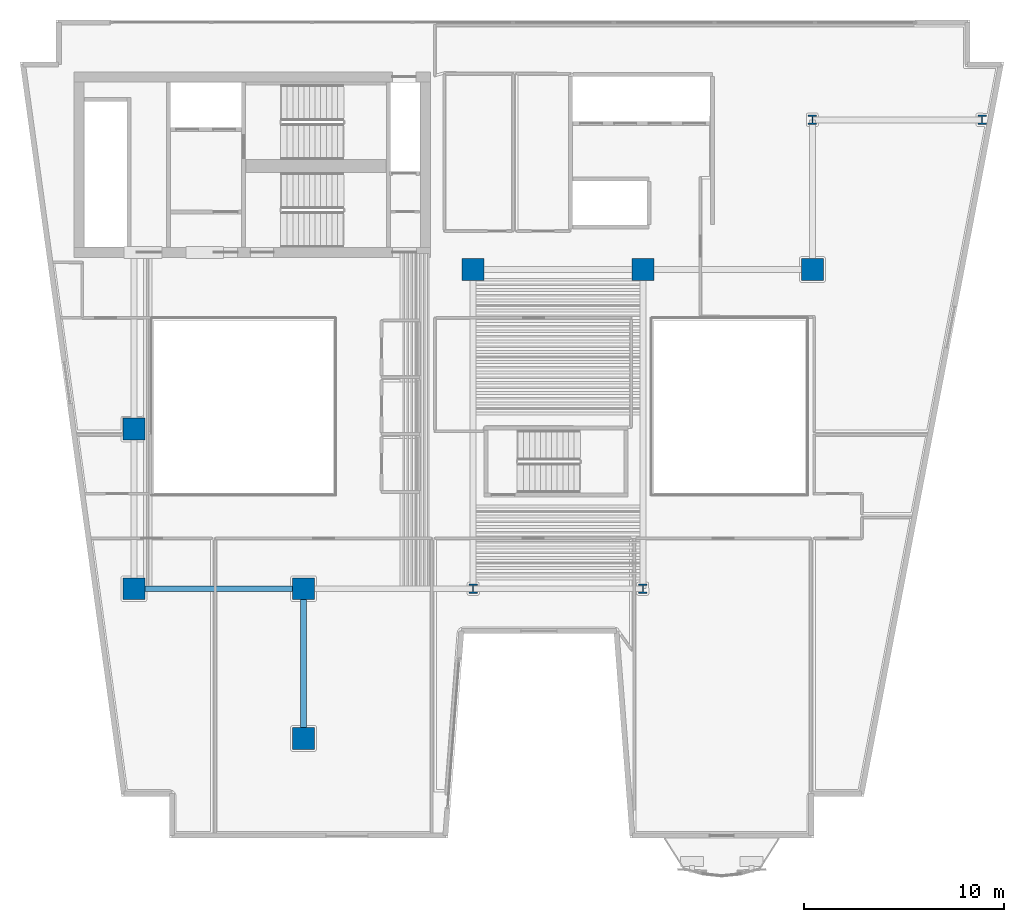
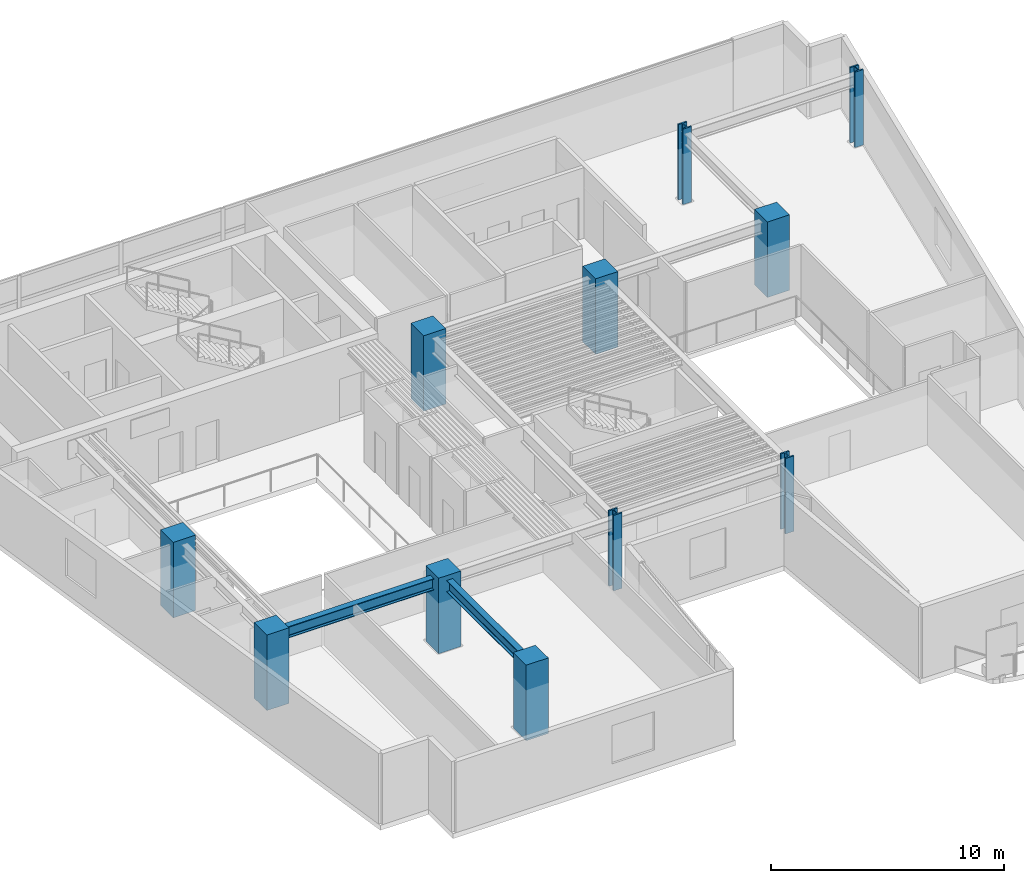
# One storey, part 1 of 13: 11 columns, 2 beams.
"""IFC4 building model written with IfcOpenShell, lengths in metres."""

from ifc_helpers import new_model, si_unit, direction, frame, origin, origin_2d, place, context, subcontext, project, spatial, rectangle, i_section, extrude, material, material_profile, profile_set, type_object, element, save


model = new_model("IFC4")

# Units and contexts
model_context = context("Model", 3, precision=1e-05, world=origin(), true_north=direction((0.0, 1.0)))
body_context = subcontext(model_context, "Body", "Model", "MODEL_VIEW")
ifc_project = project(units=[si_unit("LENGTHUNIT", "METRE"), si_unit("AREAUNIT", "SQUARE_METRE"), si_unit("VOLUMEUNIT", "CUBIC_METRE"), si_unit("PLANEANGLEUNIT", "RADIAN"), si_unit("MASSUNIT", "GRAM", prefix="KILO")], contexts=[model_context])

# Site, building, storey
site_placement = place(None, origin())
site = spatial("IfcSite", under=ifc_project, at=site_placement, CompositionType="ELEMENT")
building_placement = place(site_placement, origin())
building = spatial("IfcBuilding", under=site, at=building_placement, Name="Caeloran Harvest Quay", CompositionType="ELEMENT")
storey_placement = place(building_placement, frame((0.0, 0.0, 127.199951171875)))
storey = spatial("IfcBuildingStorey", under=building, at=storey_placement, Name="L29", CompositionType="ELEMENT", Elevation=127.199951171875)

# Columns
ifc_material_1 = material(Name="Concrete C70/85", Category="concrete")
ifc_material_profile_1 = material_profile(ifc_material_1, rectangle(XDim=1.10009765625, YDim=1.10009765625, at=origin_2d()), Name="RC 1100x1100")
ifc_profile_set_1 = profile_set([ifc_material_profile_1], Name="Concrete C70/85")
column_type_1 = type_object("IfcColumnType", Name="COL-MC-3-RC_1100x1100", PredefinedType="COLUMN", material=ifc_profile_set_1)
for number, where, z_axis, x_axis, name in (
    (1, (8.5, 15.0, 0.0), (0.0, 0.0, 1.0), (1.0, 0.0, 0.0), "L29 Structural Column (8.5, 15.0)"),
    (2, (8.5, 23.0, 0.0), (0.0, 0.0, 1.0), (1.0, 0.0, 0.0), "L29 Structural Column (8.5, 23.0)"),
    (3, (17.0, 7.5, 0.0), (0.0, 0.0, 1.0), (1.0, 0.0, 0.0), "L29 Structural Column (17.0, 7.5)"),
    (4, (17.0, 15.0, 0.0), (0.0, 0.0, 1.0), (1.0, 0.0, 0.0), "L29 Structural Column (17.0, 15.0)"),
    (5, (25.5, 31.0, 0.0), (0.0, 0.0, 1.0), (1.0, 0.0, 0.0), "L29 Structural Column (25.5, 31.0)"),
    (6, (34.0, 31.0, 0.0), (0.0, 0.0, 1.0), (1.0, 0.0, 0.0), "L29 Structural Column (34.0, 31.0)"),
    (7, (42.5, 31.0, 0.0), (0.0, 0.0, 1.0), (1.0, 0.0, 0.0), "L29 Structural Column (42.5, 31.0)"),
):
    element("IfcColumn", number, at=place(storey_placement, frame(where, z_axis=z_axis, x_axis=x_axis)), inside=storey, type_object=column_type_1, Name=name, PredefinedType="COLUMN", context=body_context, shape_type="SweptSolid", body=[
        extrude(rectangle(XDim=1.10009765625, YDim=1.10009765625, at=origin_2d()), origin(), (0.0, 0.0, 1.0), 3.949951171875),
    ])
ifc_material_2 = material(Name="Steel HISTAR 460", Category="steel")
ifc_material_profile_2 = material_profile(ifc_material_2, i_section(OverallWidth=0.424072265625, OverallDepth=0.47412109375, WebThickness=0.047607421875, FlangeThickness=0.076904296875, FilletRadius=0.014892578125, at=origin_2d()), Name="HD 400x634")
ifc_profile_set_2 = profile_set([ifc_material_profile_2], Name="Steel HISTAR 460")
column_type_2 = type_object("IfcColumnType", Name="COL-SC-3-HD_400x634", PredefinedType="COLUMN", material=ifc_profile_set_2)
for number, where, z_axis, x_axis, name in (
    (8, (25.5, 15.0, 0.0), (0.0, 0.0, 1.0), (1.0, 0.0, 0.0), "L29 Structural Column (25.5, 15.0)"),
    (9, (34.0, 15.0, 0.0), (0.0, 0.0, 1.0), (1.0, 0.0, 0.0), "L29 Structural Column (34.0, 15.0)"),
    (10, (42.5, 38.5, 0.0), (0.0, 0.0, 1.0), (1.0, 0.0, 0.0), "L29 Structural Column (42.5, 38.5)"),
    (11, (51.0, 38.5, 0.0), (0.0, 0.0, 1.0), (1.0, 0.0, 0.0), "L29 Structural Column (51.0, 38.5)"),
):
    element("IfcColumn", number, at=place(storey_placement, frame(where, z_axis=z_axis, x_axis=x_axis)), inside=storey, type_object=column_type_2, Name=name, PredefinedType="COLUMN", context=body_context, shape_type="SweptSolid", body=[
        extrude(i_section(OverallWidth=0.424072265625, OverallDepth=0.47412109375, WebThickness=0.047607421875, FlangeThickness=0.076904296875, FilletRadius=0.014892578125, at=origin_2d()), origin(), (0.0, 0.0, 1.0), 3.949951171875),
    ])

# Beams
ifc_material_3 = material(Name="Steel S355J2", Category="steel")
ifc_material_profile_3 = material_profile(ifc_material_3, i_section(OverallWidth=0.300048828125, OverallDepth=0.60009765625, WebThickness=0.015380859375, FlangeThickness=0.030029296875, FilletRadius=0.027099609375, at=origin_2d()), Name="HE 600 B")
ifc_profile_set_3 = profile_set([ifc_material_profile_3], Name="Steel S355J2")
beam_type = type_object("IfcBeamType", Name="BM-PG-3-HE_600_B", PredefinedType="BEAM", material=ifc_profile_set_3)
beam_1_placement = place(storey_placement, frame((8.5, 15.0, 3.39013671875), z_axis=(1.0, 0.0, 0.0), x_axis=(0.0, 1.0, 0.0)))
element("IfcBeam", 12, at=beam_1_placement, inside=storey, type_object=beam_type, Name="L29 Primary East-West Girder Y=15.0", PredefinedType="BEAM", context=body_context, shape_type="SweptSolid", body=[
    extrude(i_section(OverallWidth=0.300048828125, OverallDepth=0.60009765625, WebThickness=0.015380859375, FlangeThickness=0.030029296875, FilletRadius=0.027099609375, at=origin_2d()), origin(), (0.0, 0.0, 1.0), 8.5),
])
beam_2_placement = place(storey_placement, frame((17.0, 7.5, 3.39013671875), z_axis=(0.0, 1.0, 0.0), x_axis=(-1.0, 0.0, 0.0)))
element("IfcBeam", 13, at=beam_2_placement, inside=storey, type_object=beam_type, Name="L29 Primary North-South Girder X=17.0", PredefinedType="BEAM", context=body_context, shape_type="SweptSolid", body=[
    extrude(i_section(OverallWidth=0.300048828125, OverallDepth=0.60009765625, WebThickness=0.015380859375, FlangeThickness=0.030029296875, FilletRadius=0.027099609375, at=origin_2d()), origin(), (0.0, 0.0, 1.0), 7.5),
])

save(model, "model.ifc")
